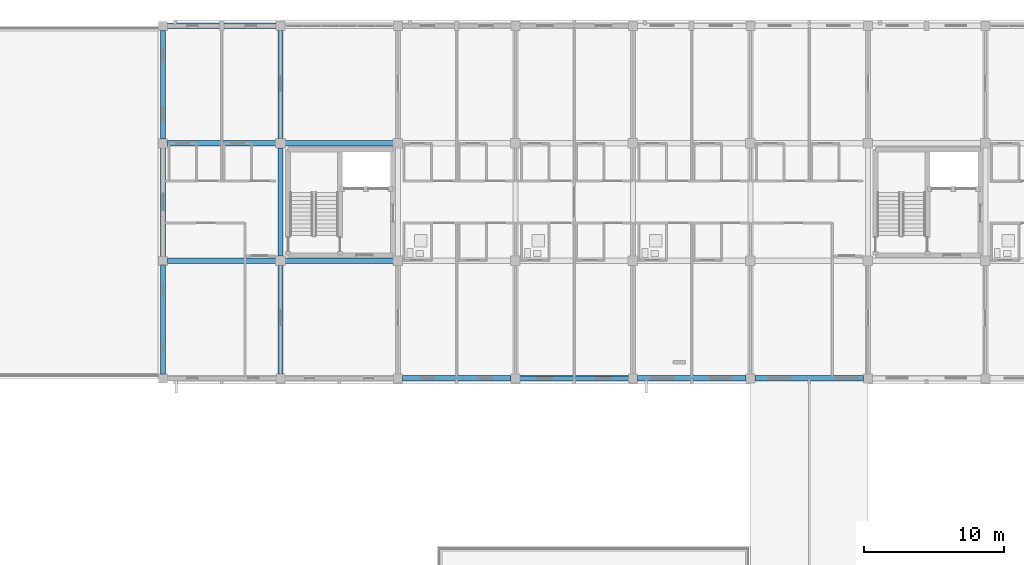
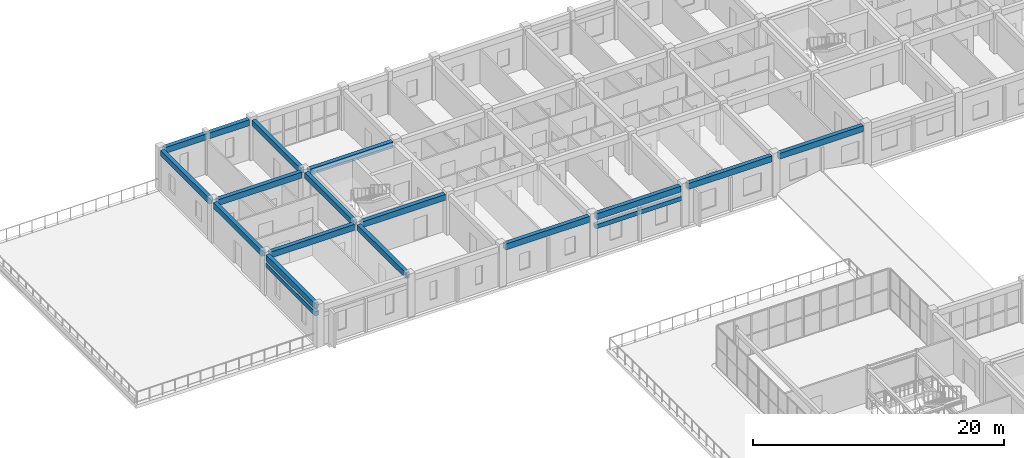
# One storey, part 40 of 90: 17 beams.
"""IFC4 building model written with IfcOpenShell, lengths in metres."""

from ifc_helpers import new_model, si_unit, direction, frame, origin, origin_2d, place, context, subcontext, project, spatial, rectangle, extrude, material, material_profile, profile_set, type_object, element, save


model = new_model("IFC4")

# Units and contexts
model_context = context("Model", 3, precision=1e-05, world=origin(), true_north=direction((0.0, 1.0)))
body_context = subcontext(model_context, "Body", "Model", "MODEL_VIEW")
ifc_project = project(units=[si_unit("LENGTHUNIT", "METRE"), si_unit("AREAUNIT", "SQUARE_METRE"), si_unit("VOLUMEUNIT", "CUBIC_METRE"), si_unit("PLANEANGLEUNIT", "RADIAN"), si_unit("MASSUNIT", "GRAM", prefix="KILO")], contexts=[model_context])

# Site, building, storey
site_placement = place(None, origin())
site = spatial("IfcSite", under=ifc_project, at=site_placement, CompositionType="ELEMENT")
building_placement = place(site_placement, origin())
building = spatial("IfcBuilding", under=site, at=building_placement, Name="Trelvath General Hospital", CompositionType="ELEMENT")
storey_placement = place(building_placement, frame((0.0, 0.0, 20.39990234375)))
storey = spatial("IfcBuildingStorey", under=building, at=storey_placement, Name="L05", CompositionType="ELEMENT", Elevation=20.39990234375)

# Beams
ifc_material_1 = material(Name="Concrete C35/45", Category="concrete")
ifc_material_profile_1 = material_profile(ifc_material_1, rectangle(XDim=0.35009765625, YDim=0.550048828125, at=origin_2d()), Name="RCB350x550")
ifc_profile_set_1 = profile_set([ifc_material_profile_1], Name="Concrete C35/45")
beam_type_1 = type_object("IfcBeamType", Name="Beam RC350x550", PredefinedType="BEAM", material=ifc_profile_set_1)
beam_1_placement = place(storey_placement, frame((33.60009765625, 92.719970703125, 3.64501953125), z_axis=(0.0, 1.0, 0.0), x_axis=(-1.0, 0.0, 0.0)))
element("IfcBeam", 1, at=beam_1_placement, inside=storey, type_object=beam_type_1, Name="Grid Beam BY-504L", PredefinedType="BEAM", context=body_context, shape_type="SweptSolid", body=[
    extrude(rectangle(XDim=0.35009765625, YDim=0.550048828125, at=origin_2d()), origin(), (0.0, 0.0, 1.0), 7.760009765625),
])
beam_2_placement = place(storey_placement, frame((33.60009765625, 101.1201171875, 3.64501953125), z_axis=(0.0, 1.0, 0.0), x_axis=(-1.0, 0.0, 0.0)))
element("IfcBeam", 2, at=beam_2_placement, inside=storey, type_object=beam_type_1, Name="Grid Beam BY-504M", PredefinedType="BEAM", context=body_context, shape_type="SweptSolid", body=[
    extrude(rectangle(XDim=0.35009765625, YDim=0.550048828125, at=origin_2d()), origin(), (0.0, 0.0, 1.0), 7.759765625),
])
beam_3_placement = place(storey_placement, frame((33.60009765625, 109.52001953125, 3.64501953125), z_axis=(0.0, 1.0, 0.0), x_axis=(-1.0, 0.0, 0.0)))
element("IfcBeam", 3, at=beam_3_placement, inside=storey, type_object=beam_type_1, Name="Grid Beam BY-504N", PredefinedType="BEAM", context=body_context, shape_type="SweptSolid", body=[
    extrude(rectangle(XDim=0.35009765625, YDim=0.550048828125, at=origin_2d()), origin(), (0.0, 0.0, 1.0), 7.760009765625),
])
beam_4_placement = place(storey_placement, frame((42.0, 92.719970703125, 3.64501953125), z_axis=(0.0, 1.0, 0.0), x_axis=(-1.0, 0.0, 0.0)))
element("IfcBeam", 4, at=beam_4_placement, inside=storey, type_object=beam_type_1, Name="Grid Beam BY-505L", PredefinedType="BEAM", context=body_context, shape_type="SweptSolid", body=[
    extrude(rectangle(XDim=0.35009765625, YDim=0.550048828125, at=origin_2d()), origin(), (0.0, 0.0, 1.0), 7.7451171875),
])
beam_5_placement = place(storey_placement, frame((42.0, 101.135009765625, 3.64501953125), z_axis=(0.0, 1.0, 0.0), x_axis=(-1.0, 0.0, 0.0)))
element("IfcBeam", 5, at=beam_5_placement, inside=storey, type_object=beam_type_1, Name="Grid Beam BY-505M", PredefinedType="BEAM", context=body_context, shape_type="SweptSolid", body=[
    extrude(rectangle(XDim=0.35009765625, YDim=0.550048828125, at=origin_2d()), origin(), (0.0, 0.0, 1.0), 7.72998046875),
])
beam_6_placement = place(storey_placement, frame((42.0, 109.534912109375, 3.64501953125), z_axis=(0.0, 1.0, 0.0), x_axis=(-1.0, 0.0, 0.0)))
element("IfcBeam", 6, at=beam_6_placement, inside=storey, type_object=beam_type_1, Name="Grid Beam BY-505N", PredefinedType="BEAM", context=body_context, shape_type="SweptSolid", body=[
    extrude(rectangle(XDim=0.35009765625, YDim=0.550048828125, at=origin_2d()), origin(), (0.0, 0.0, 1.0), 7.7451171875),
])
ifc_material_2 = material(Name="Concrete C35/45", Category="concrete")
ifc_material_profile_2 = material_profile(ifc_material_2, rectangle(XDim=0.3798828125, YDim=0.580078125, at=origin_2d()), Name="RCB380x580")
ifc_profile_set_2 = profile_set([ifc_material_profile_2], Name="Concrete C35/45")
beam_type_2 = type_object("IfcBeamType", Name="Beam RC380x580", PredefinedType="BEAM", material=ifc_profile_set_2)
for number, where, z_axis, x_axis, name in (
    (7, (33.919921875, 100.800048828125, 3.630126953125), (1.0, 0.0, 0.0), (0.0, 1.0, 0.0), "Grid Beam BX-504M"),
    (8, (33.919921875, 109.199951171875, 3.630126953125), (1.0, 0.0, 0.0), (0.0, 1.0, 0.0), "Grid Beam BX-504N"),
):
    element("IfcBeam", number, at=place(storey_placement, frame(where, z_axis=z_axis, x_axis=x_axis)), inside=storey, type_object=beam_type_2, Name=name, PredefinedType="BEAM", context=body_context, shape_type="SweptSolid", body=[
        extrude(rectangle(XDim=0.3798828125, YDim=0.580078125, at=origin_2d()), origin(), (0.0, 0.0, 1.0), 7.7451171875),
    ])
beam_7_placement = place(storey_placement, frame((33.919921875, 117.60009765625, 3.630126953125), z_axis=(1.0, 0.0, 0.0), x_axis=(0.0, 1.0, 0.0)))
element("IfcBeam", 9, at=beam_7_placement, inside=storey, type_object=beam_type_2, Name="Grid Beam BX-504O", PredefinedType="BEAM", context=body_context, shape_type="SweptSolid", body=[
    extrude(rectangle(XDim=0.3798828125, YDim=0.580078125, at=origin_2d()), origin(), (0.0, 0.0, 1.0), 7.760009765625),
])
for number, where, z_axis, x_axis, name in (
    (10, (42.3349609375, 100.800048828125, 3.630126953125), (1.0, 0.0, 0.0), (0.0, 1.0, 0.0), "Grid Beam BX-505M"),
    (11, (42.3349609375, 109.199951171875, 3.630126953125), (1.0, 0.0, 0.0), (0.0, 1.0, 0.0), "Grid Beam BX-505N"),
):
    element("IfcBeam", number, at=place(storey_placement, frame(where, z_axis=z_axis, x_axis=x_axis)), inside=storey, type_object=beam_type_2, Name=name, PredefinedType="BEAM", context=body_context, shape_type="SweptSolid", body=[
        extrude(rectangle(XDim=0.3798828125, YDim=0.580078125, at=origin_2d()), origin(), (0.0, 0.0, 1.0), 7.72998046875),
    ])
beam_8_placement = place(storey_placement, frame((50.719970703125, 92.39990234375, 3.630126953125), z_axis=(1.0, 0.0, 0.0), x_axis=(0.0, 1.0, 0.0)))
element("IfcBeam", 12, at=beam_8_placement, inside=storey, type_object=beam_type_2, Name="Grid Beam BX-506L", PredefinedType="BEAM", context=body_context, shape_type="SweptSolid", body=[
    extrude(rectangle(XDim=0.3798828125, YDim=0.580078125, at=origin_2d()), origin(), (0.0, 0.0, 1.0), 7.760009765625),
])
beam_9_placement = place(storey_placement, frame((59.1201171875, 92.39990234375, 3.630126953125), z_axis=(1.0, 0.0, 0.0), x_axis=(0.0, 1.0, 0.0)))
element("IfcBeam", 13, at=beam_9_placement, inside=storey, type_object=beam_type_2, Name="Grid Beam BX-507L", PredefinedType="BEAM", context=body_context, shape_type="SweptSolid", body=[
    extrude(rectangle(XDim=0.3798828125, YDim=0.580078125, at=origin_2d()), origin(), (0.0, 0.0, 1.0), 7.759765625),
])
for number, where, z_axis, x_axis, name in (
    (14, (67.52001953125, 92.39990234375, 3.630126953125), (1.0, 0.0, 0.0), (0.0, 1.0, 0.0), "Grid Beam BX-508L"),
    (15, (75.919921875, 92.39990234375, 3.630126953125), (1.0, 0.0, 0.0), (0.0, 1.0, 0.0), "Grid Beam BX-509L"),
):
    element("IfcBeam", number, at=place(storey_placement, frame(where, z_axis=z_axis, x_axis=x_axis)), inside=storey, type_object=beam_type_2, Name=name, PredefinedType="BEAM", context=body_context, shape_type="SweptSolid", body=[
        extrude(rectangle(XDim=0.3798828125, YDim=0.580078125, at=origin_2d()), origin(), (0.0, 0.0, 1.0), 7.760009765625),
    ])
ifc_material_3 = material(Name="Precast concrete C40/50", Category="concrete")
ifc_material_profile_3 = material_profile(ifc_material_3, rectangle(XDim=0.35009765625, YDim=0.419921875, at=origin_2d()), Name="PCL350x420")
ifc_profile_set_3 = profile_set([ifc_material_profile_3], Name="Precast concrete C40/50")
beam_type_3 = type_object("IfcBeamType", Name="Lintel PC350x420", PredefinedType="LINTEL", material=ifc_profile_set_3)
beam_10_placement = place(storey_placement, frame((33.60009765625, 92.639892578125, 2.920166015625), z_axis=(0.0, 1.0, 0.0), x_axis=(-1.0, 0.0, 0.0)))
element("IfcBeam", 16, at=beam_10_placement, inside=storey, type_object=beam_type_3, Name="Precast Window Brow Lintel L05-498", PredefinedType="LINTEL", context=body_context, shape_type="SweptSolid", body=[
    extrude(rectangle(XDim=0.35009765625, YDim=0.419921875, at=origin_2d()), origin(), (0.0, 0.0, 1.0), 7.920166015625),
])
beam_11_placement = place(storey_placement, frame((66.9599609375, 92.39990234375, 2.670166015625), z_axis=(-1.0, 0.0, 0.0), x_axis=(0.0, -1.0, 0.0)))
element("IfcBeam", 17, at=beam_11_placement, inside=storey, type_object=beam_type_3, Name="Precast Window Brow Lintel L05-510", PredefinedType="LINTEL", context=body_context, shape_type="SweptSolid", body=[
    extrude(rectangle(XDim=0.35009765625, YDim=0.419921875, at=origin_2d()), origin(), (0.0, 0.0, 1.0), 7.919921875),
])

save(model, "model.ifc")
